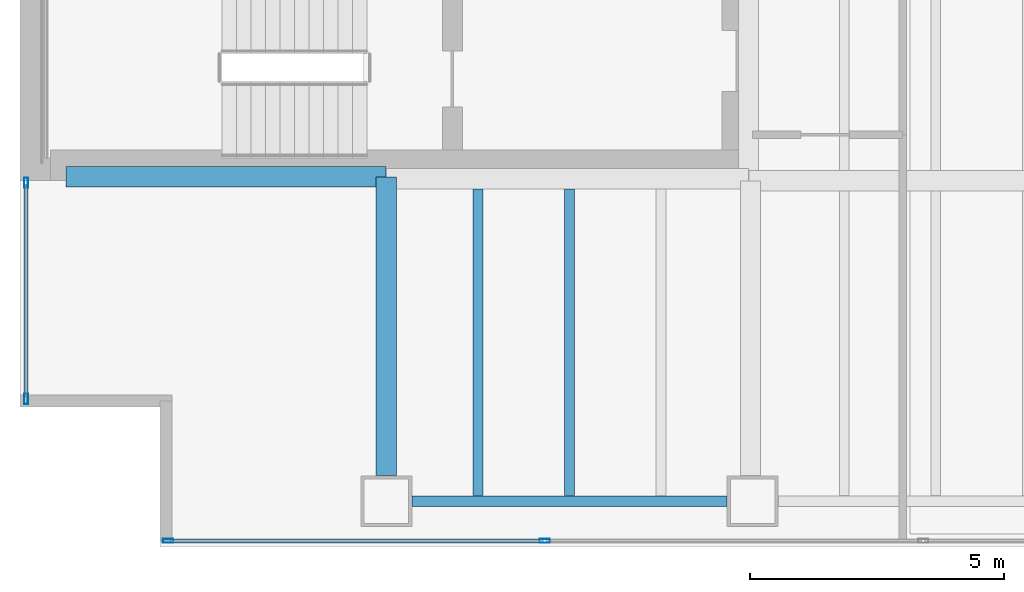
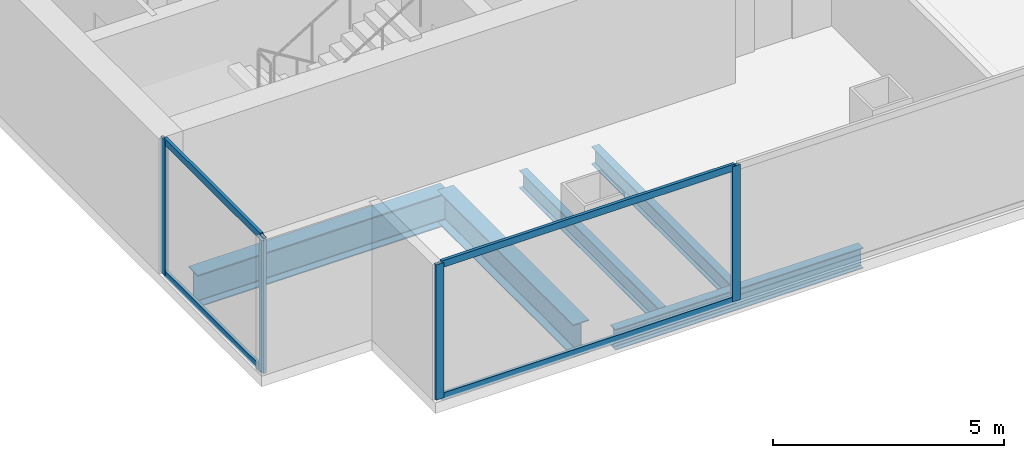
# One storey, part 2 of 24: 8 members, 5 beams, 2 elements without a shape of their own.
"""IFC4 building model written with IfcOpenShell, lengths in metres."""

from ifc_helpers import new_model, si_unit, direction, frame, origin, origin_2d, place, context, subcontext, project, spatial, hollow_rectangle, i_section, extrude, material, material_profile, profile_set, type_object, element, aggregate, save


model = new_model("IFC4")

# Units and contexts
model_context = context("Model", 3, precision=1e-05, world=origin(), true_north=direction((0.0, 1.0)))
body_context = subcontext(model_context, "Body", "Model", "MODEL_VIEW")
ifc_project = project(units=[si_unit("LENGTHUNIT", "METRE"), si_unit("AREAUNIT", "SQUARE_METRE"), si_unit("VOLUMEUNIT", "CUBIC_METRE"), si_unit("PLANEANGLEUNIT", "RADIAN"), si_unit("MASSUNIT", "GRAM", prefix="KILO")], contexts=[model_context])

# Site, building, storey
site_placement = place(None, origin())
site = spatial("IfcSite", under=ifc_project, at=site_placement, CompositionType="ELEMENT")
building_placement = place(site_placement, origin())
building = spatial("IfcBuilding", under=site, at=building_placement, Name="Cobrela Telecom Tower", CompositionType="ELEMENT")
storey_placement = place(building_placement, frame((0.0, 0.0, 69.64990234375)))
storey = spatial("IfcBuildingStorey", under=building, at=storey_placement, Name="L17", CompositionType="ELEMENT", Elevation=69.64990234375)

# Beams
ifc_material_1 = material(Name="Steel ASTM A992 Grade 50", Category="steel")
ifc_material_profile_1 = material_profile(ifc_material_1, i_section(OverallWidth=0.39892578125, OverallDepth=0.85595703125, WebThickness=0.018310546875, FlangeThickness=0.029296875, FilletRadius=0.02001953125, at=origin_2d()), Name="W33X201")
ifc_profile_set_1 = profile_set([ifc_material_profile_1], Name="Steel ASTM A992 Grade 50")
beam_type_1 = type_object("IfcBeamType", Name="BM-GIRD-03", PredefinedType="USERDEFINED", material=ifc_profile_set_1)
beam_1_placement = place(storey_placement, frame((0.905029296875, 7.280029296875, -0.7080078125), z_axis=(1.0, 0.0, 0.0), x_axis=(0.0, 1.0, 0.0)))
element("IfcBeam", 1, at=beam_1_placement, inside=storey, type_object=beam_type_1, Name="L17 Primary Girder X06", ObjectType="GIRDER", PredefinedType="USERDEFINED", context=body_context, shape_type="SweptSolid", body=[
    extrude(i_section(OverallWidth=0.39892578125, OverallDepth=0.85595703125, WebThickness=0.018310546875, FlangeThickness=0.029296875, FilletRadius=0.02001953125, at=origin_2d()), origin(), (0.0, 0.0, 1.0), 6.2900390625),
])
beam_2_placement = place(storey_placement, frame((7.199951171875, 1.405029296875, -0.7080078125), z_axis=(0.0, 1.0, 0.0), x_axis=(-1.0, 0.0, 0.0)))
element("IfcBeam", 2, at=beam_2_placement, inside=storey, type_object=beam_type_1, Name="L17 Primary Girder Y32", ObjectType="GIRDER", PredefinedType="USERDEFINED", context=body_context, shape_type="SweptSolid", body=[
    extrude(i_section(OverallWidth=0.39892578125, OverallDepth=0.85595703125, WebThickness=0.018310546875, FlangeThickness=0.029296875, FilletRadius=0.02001953125, at=origin_2d()), origin(), (0.0, 0.0, 1.0), 5.869873046875),
])
ifc_material_profile_2 = material_profile(ifc_material_1, i_section(OverallWidth=0.193115234375, OverallDepth=0.467041015625, WebThickness=0.011474609375, FlangeThickness=0.01904296875, FilletRadius=0.012939453125, at=origin_2d()), Name="W18X65")
ifc_profile_set_2 = profile_set([ifc_material_profile_2], Name="Steel ASTM A992 Grade 50")
beam_type_2 = type_object("IfcBeamType", Name="BM-JOIST-03", PredefinedType="JOIST", material=ifc_profile_set_2)
for number, where, z_axis, x_axis, name in (
    (3, (9.0, 1.011474609375, -0.513427734375), (0.0, 1.0, 0.0), (-1.0, 0.0, 0.0), "L17 Secondary Composite Floor Beam J01"),
    (4, (10.800048828125, 1.011474609375, -0.513427734375), (0.0, 1.0, 0.0), (-1.0, 0.0, 0.0), "L17 Secondary Composite Floor Beam J03"),
):
    element("IfcBeam", number, at=place(storey_placement, frame(where, z_axis=z_axis, x_axis=x_axis)), inside=storey, type_object=beam_type_2, Name=name, PredefinedType="JOIST", context=body_context, shape_type="SweptSolid", body=[
        extrude(i_section(OverallWidth=0.193115234375, OverallDepth=0.467041015625, WebThickness=0.011474609375, FlangeThickness=0.01904296875, FilletRadius=0.012939453125, at=origin_2d()), origin(), (0.0, 0.0, 1.0), 6.02392578125),
    ])
ifc_material_profile_3 = material_profile(ifc_material_1, i_section(OverallWidth=0.212890625, OverallDepth=0.549072265625, WebThickness=0.0146484375, FlangeThickness=0.023681640625, FilletRadius=0.013916015625, at=origin_2d()), Name="W21X93")
ifc_profile_set_3 = profile_set([ifc_material_profile_3], Name="Steel ASTM A992 Grade 50")
beam_type_3 = type_object("IfcBeamType", Name="BM-SPAND-03", PredefinedType="SPANDREL", material=ifc_profile_set_3)
beam_3_placement = place(storey_placement, frame((7.705078125, 0.89990234375, -0.554443359375), z_axis=(1.0, 0.0, 0.0), x_axis=(0.0, 1.0, 0.0)))
element("IfcBeam", 5, at=beam_3_placement, inside=storey, type_object=beam_type_3, Name="L17 Perimeter Spandrel X01", PredefinedType="SPANDREL", context=body_context, shape_type="SweptSolid", body=[
    extrude(i_section(OverallWidth=0.212890625, OverallDepth=0.549072265625, WebThickness=0.0146484375, FlangeThickness=0.023681640625, FilletRadius=0.013916015625, at=origin_2d()), origin(), (0.0, 0.0, 1.0), 6.18994140625),
])

# Curtain wall, members
ifc_material_2 = material(Name="Anodized Bronze Aluminium 6063-T6", Category="aluminium")
curtain_wall_type = type_object("IfcCurtainWallType", Name="CW-SYS-DATA", PredefinedType="USERDEFINED", material=ifc_material_2)
curtain_wall_1_placement = place(storey_placement, origin())
curtain_wall_1 = element("IfcCurtainWall", 6, at=curtain_wall_1_placement, inside=storey, type_object=curtain_wall_type, Name="L17 Unitised Bronze Curtain Wall 03", ObjectType="UNITISED CURTAIN WALL", PredefinedType="USERDEFINED")
ifc_material_profile_4 = material_profile(ifc_material_2, hollow_rectangle(XDim=0.080078125, YDim=0.199951171875, WallThickness=0.00390625, at=origin_2d()), Name="ALU 80x200x4")
ifc_profile_set_4 = profile_set([ifc_material_profile_4], Name="Anodized Bronze Aluminium 6063-T6")
member_type_1 = type_object("IfcMemberType", Name="CW-SYS-DATA-MUL", PredefinedType="MULLION", material=ifc_profile_set_4)
member_1_placement = place(storey_placement, frame((0.1201171875, 2.909912109375, 0.0), z_axis=(0.0, 0.0, 1.0), x_axis=(-1.0, 0.0, 0.0)))
member_1 = element("IfcMember", 7, at=member_1_placement, type_object=member_type_1, Name="CW-DATA mullion 1", PredefinedType="MULLION", context=body_context, shape_type="SweptSolid", body=[
    extrude(hollow_rectangle(XDim=0.080078125, YDim=0.199951171875, WallThickness=0.00390625, at=origin_2d()), origin(), (0.0, 0.0, 1.0), 3.570068359375),
])
member_2_placement = place(storey_placement, frame((0.1201171875, 7.159912109375, 0.0), z_axis=(0.0, 0.0, 1.0), x_axis=(-1.0, 0.0, 0.0)))
member_2 = element("IfcMember", 8, at=member_2_placement, type_object=member_type_1, Name="CW-DATA mullion 2", PredefinedType="MULLION", context=body_context, shape_type="SweptSolid", body=[
    extrude(hollow_rectangle(XDim=0.080078125, YDim=0.199951171875, WallThickness=0.00390625, at=origin_2d()), origin(), (0.0, 0.0, 1.0), 3.570068359375),
])

curtain_wall_2_placement = place(storey_placement, origin())
curtain_wall_2 = element("IfcCurtainWall", 9, at=curtain_wall_2_placement, inside=storey, type_object=curtain_wall_type, Name="L17 Unitised Bronze Curtain Wall 17", ObjectType="UNITISED CURTAIN WALL", PredefinedType="USERDEFINED")
member_3_placement = place(storey_placement, frame((10.313232421875, 0.1201171875, 0.0), z_axis=(0.0, 0.0, 1.0), x_axis=(0.0, -1.0, 0.0)))
member_3 = element("IfcMember", 10, at=member_3_placement, type_object=member_type_1, Name="CW-DATA mullion 6", PredefinedType="MULLION", context=body_context, shape_type="SweptSolid", body=[
    extrude(hollow_rectangle(XDim=0.080078125, YDim=0.199951171875, WallThickness=0.00390625, at=origin_2d()), origin(), (0.0, 0.0, 1.0), 3.570068359375),
])
member_4_placement = place(storey_placement, frame((2.909912109375, 0.1201171875, 0.0), z_axis=(0.0, 0.0, 1.0), x_axis=(0.0, -1.0, 0.0)))
member_4 = element("IfcMember", 11, at=member_4_placement, type_object=member_type_1, Name="CW-DATA mullion 7", PredefinedType="MULLION", context=body_context, shape_type="SweptSolid", body=[
    extrude(hollow_rectangle(XDim=0.080078125, YDim=0.199951171875, WallThickness=0.00390625, at=origin_2d()), origin(), (0.0, 0.0, 1.0), 3.570068359375),
])

# Member
ifc_material_profile_5 = material_profile(ifc_material_2, hollow_rectangle(XDim=0.074951171875, YDim=0.179931640625, WallThickness=0.00390625, at=origin_2d()), Name="ALU 75x180x4")
ifc_profile_set_5 = profile_set([ifc_material_profile_5], Name="Anodized Bronze Aluminium 6063-T6")
member_type_2 = type_object("IfcMemberType", Name="CW-SYS-DATA-TRN", PredefinedType="USERDEFINED", material=ifc_profile_set_5)
member_5_placement = place(storey_placement, frame((0.1201171875, 2.949951171875, 0.03759765625), z_axis=(0.0, 1.0, 0.0), x_axis=(-1.0, 0.0, 0.0)))
member_5 = element("IfcMember", 12, at=member_5_placement, type_object=member_type_2, Name="CW-DATA transom 1.1", ObjectType="TRANSOM", PredefinedType="USERDEFINED", context=body_context, shape_type="SweptSolid", body=[
    extrude(hollow_rectangle(XDim=0.074951171875, YDim=0.179931640625, WallThickness=0.00390625, at=origin_2d()), origin(), (0.0, 0.0, 1.0), 4.170166015625),
])

member_6_placement = place(storey_placement, frame((0.1201171875, 2.949951171875, 3.53271484375), z_axis=(0.0, 1.0, 0.0), x_axis=(-1.0, 0.0, 0.0)))
member_6 = element("IfcMember", 13, at=member_6_placement, type_object=member_type_2, Name="CW-DATA transom 1.2", ObjectType="TRANSOM", PredefinedType="USERDEFINED", context=body_context, shape_type="SweptSolid", body=[
    extrude(hollow_rectangle(XDim=0.074951171875, YDim=0.179931640625, WallThickness=0.00390625, at=origin_2d()), origin(), (0.0, 0.0, 1.0), 4.170166015625),
])

aggregate(curtain_wall_1, [member_1, member_2, member_5, member_6])

member_7_placement = place(storey_placement, frame((10.2734375, 0.1201171875, 0.03759765625), z_axis=(-1.0, 0.0, 0.0), x_axis=(0.0, -1.0, 0.0)))
member_7 = element("IfcMember", 14, at=member_7_placement, type_object=member_type_2, Name="CW-DATA transom 6.1", ObjectType="TRANSOM", PredefinedType="USERDEFINED", context=body_context, shape_type="SweptSolid", body=[
    extrude(hollow_rectangle(XDim=0.074951171875, YDim=0.179931640625, WallThickness=0.00390625, at=origin_2d()), origin(), (0.0, 0.0, 1.0), 7.323486328125),
])

member_8_placement = place(storey_placement, frame((10.2734375, 0.1201171875, 3.53271484375), z_axis=(-1.0, 0.0, 0.0), x_axis=(0.0, -1.0, 0.0)))
member_8 = element("IfcMember", 15, at=member_8_placement, type_object=member_type_2, Name="CW-DATA transom 6.2", ObjectType="TRANSOM", PredefinedType="USERDEFINED", context=body_context, shape_type="SweptSolid", body=[
    extrude(hollow_rectangle(XDim=0.074951171875, YDim=0.179931640625, WallThickness=0.00390625, at=origin_2d()), origin(), (0.0, 0.0, 1.0), 7.323486328125),
])

aggregate(curtain_wall_2, [member_3, member_4, member_7, member_8])

save(model, "model.ifc")
